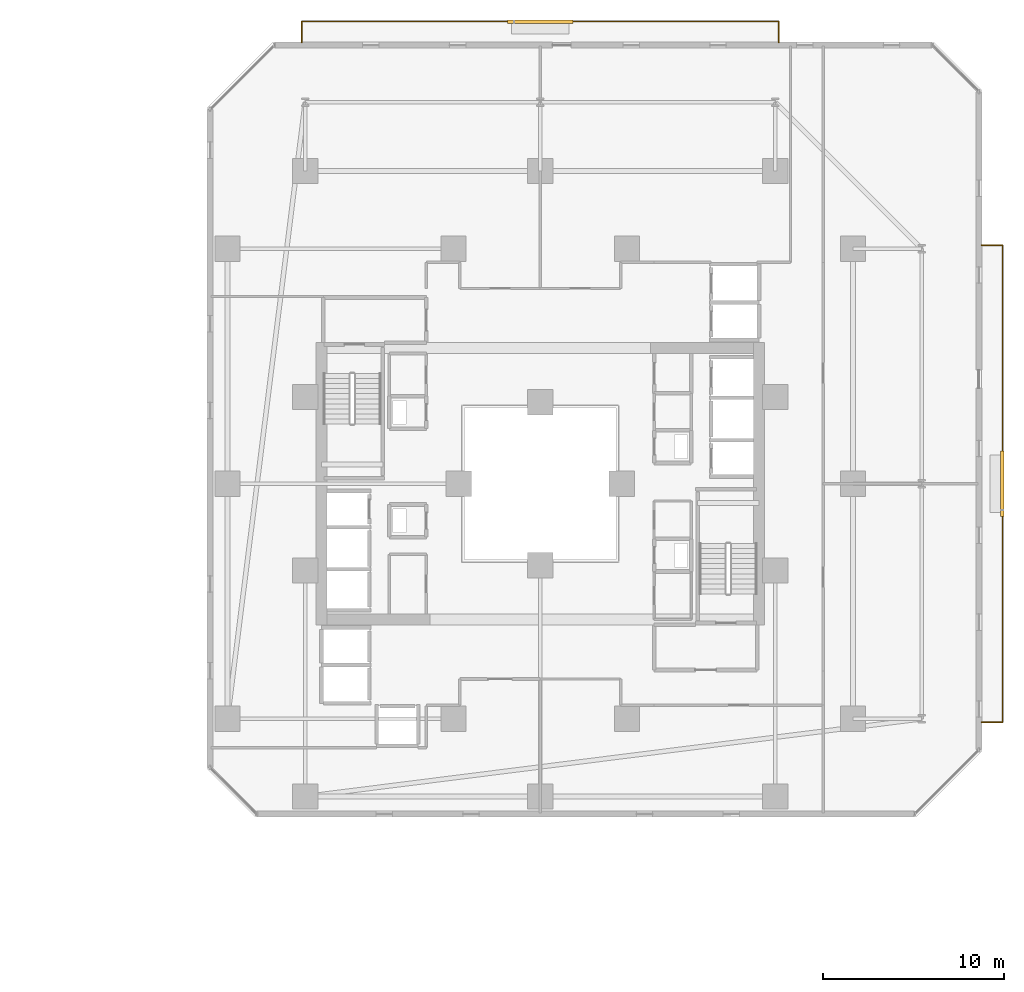
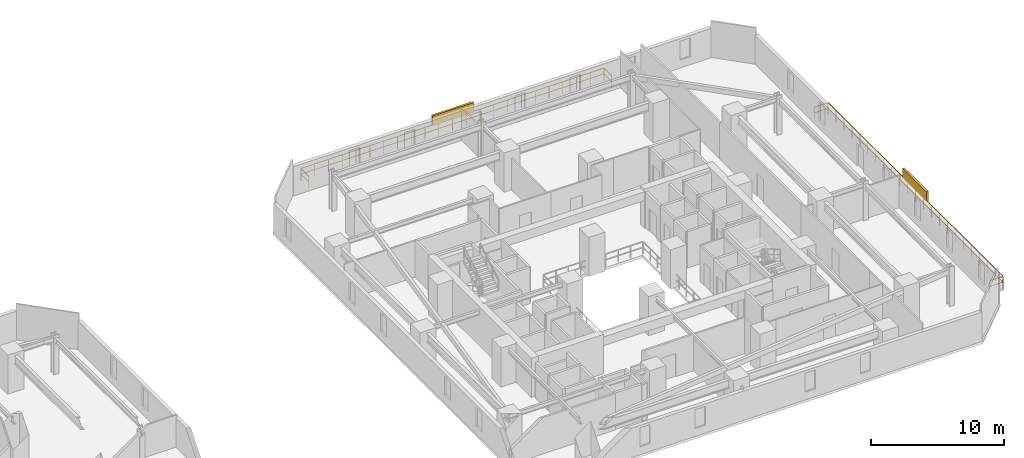
# One storey, part 34 of 34: 2 railings, 2 shading devices.
"""IFC4 building model written with IfcOpenShell, lengths in metres."""

from ifc_helpers import new_model, si_unit, direction, frame, origin, origin_2d, place, context, subcontext, project, spatial, rectangle, extrude, material, type_object, element, save


model = new_model("IFC4")

# Units and contexts
model_context = context("Model", 3, precision=1e-05, world=origin(), true_north=direction((0.0, 1.0)))
body_context = subcontext(model_context, "Body", "Model", "MODEL_VIEW")
ifc_project = project(units=[si_unit("LENGTHUNIT", "METRE"), si_unit("AREAUNIT", "SQUARE_METRE"), si_unit("VOLUMEUNIT", "CUBIC_METRE"), si_unit("PLANEANGLEUNIT", "RADIAN"), si_unit("MASSUNIT", "GRAM", prefix="KILO")], contexts=[model_context])

# Site, building, storey
site_placement = place(None, origin())
site = spatial("IfcSite", under=ifc_project, at=site_placement, CompositionType="ELEMENT")
building_placement = place(site_placement, origin())
building = spatial("IfcBuilding", under=site, at=building_placement, Name="Thornwick Lancets Civic Towers", CompositionType="ELEMENT")
storey_placement = place(building_placement, frame((0.0, 0.0, 57.300048828125)))
storey = spatial("IfcBuildingStorey", under=building, at=storey_placement, Name="L14", CompositionType="ELEMENT", Elevation=57.300048828125)

# Railings
ifc_material_1 = material(Name="Terracotta-capped laminated glass balustrade S355", Category="masonry")
railing_type = type_object("IfcRailingType", Name="RAIL_TERR_GUARD", PredefinedType="GUARDRAIL", material=ifc_material_1)
railing_1_placement = place(storey_placement, frame((112.89990234375, 13.800048828125, 0.0)))
element("IfcRailing", 1, at=railing_1_placement, inside=storey, type_object=railing_type, Name="L14 Tower B Balcony Guard E", PredefinedType="GUARDRAIL", context=body_context, shape_type="SweptSolid", body=[
    extrude(rectangle(XDim=0.048095703125, YDim=0.048095703125, at=origin_2d()), frame((0.0, 0.0, 1.1259765625), z_axis=(1.0, 0.0, 0.0), x_axis=(0.0, 1.0, 0.0)), (0.0, 0.0, 1.0), 1.138916015625),
    extrude(rectangle(XDim=0.0419921875, YDim=0.0419921875, at=origin_2d()), frame((0.03759765625, 0.0, 0.597900390625), z_axis=(1.0, 0.0, 0.0), x_axis=(0.0, 1.0, 0.0)), (0.0, 0.0, 1.0), 1.09521484375),
    extrude(rectangle(XDim=0.048095703125, YDim=0.048095703125, at=origin_2d()), frame((1.170166015625, 0.03125, 1.1259765625), z_axis=(0.0, 1.0, 0.0), x_axis=(-1.0, 0.0, 0.0)), (0.0, 0.0, 1.0), 26.33740234375),
    extrude(rectangle(XDim=0.0419921875, YDim=0.0419921875, at=origin_2d()), frame((1.170166015625, 0.03759765625, 0.597900390625), z_axis=(0.0, 1.0, 0.0), x_axis=(-1.0, 0.0, 0.0)), (0.0, 0.0, 1.0), 1.125),
    extrude(rectangle(XDim=0.0419921875, YDim=0.0419921875, at=origin_2d()), frame((1.170166015625, 1.237548828125, 0.597900390625), z_axis=(0.0, 1.0, 0.0), x_axis=(-1.0, 0.0, 0.0)), (0.0, 0.0, 1.0), 1.125),
    extrude(rectangle(XDim=0.0419921875, YDim=0.0419921875, at=origin_2d()), frame((1.170166015625, 2.4375, 0.597900390625), z_axis=(0.0, 1.0, 0.0), x_axis=(-1.0, 0.0, 0.0)), (0.0, 0.0, 1.0), 1.125),
    extrude(rectangle(XDim=0.0419921875, YDim=0.0419921875, at=origin_2d()), frame((1.170166015625, 3.637451171875, 0.597900390625), z_axis=(0.0, 1.0, 0.0), x_axis=(-1.0, 0.0, 0.0)), (0.0, 0.0, 1.0), 1.125),
    extrude(rectangle(XDim=0.0419921875, YDim=0.0419921875, at=origin_2d()), frame((1.170166015625, 4.83740234375, 0.597900390625), z_axis=(0.0, 1.0, 0.0), x_axis=(-1.0, 0.0, 0.0)), (0.0, 0.0, 1.0), 1.125),
    extrude(rectangle(XDim=0.0419921875, YDim=0.0419921875, at=origin_2d()), frame((1.170166015625, 6.037353515625, 0.597900390625), z_axis=(0.0, 1.0, 0.0), x_axis=(-1.0, 0.0, 0.0)), (0.0, 0.0, 1.0), 1.125),
    extrude(rectangle(XDim=0.0419921875, YDim=0.0419921875, at=origin_2d()), frame((1.170166015625, 7.237548828125, 0.597900390625), z_axis=(0.0, 1.0, 0.0), x_axis=(-1.0, 0.0, 0.0)), (0.0, 0.0, 1.0), 1.125),
    extrude(rectangle(XDim=0.0419921875, YDim=0.0419921875, at=origin_2d()), frame((1.170166015625, 8.4375, 0.597900390625), z_axis=(0.0, 1.0, 0.0), x_axis=(-1.0, 0.0, 0.0)), (0.0, 0.0, 1.0), 1.125),
    extrude(rectangle(XDim=0.0419921875, YDim=0.0419921875, at=origin_2d()), frame((1.170166015625, 9.637451171875, 0.597900390625), z_axis=(0.0, 1.0, 0.0), x_axis=(-1.0, 0.0, 0.0)), (0.0, 0.0, 1.0), 1.125),
    extrude(rectangle(XDim=0.0419921875, YDim=0.0419921875, at=origin_2d()), frame((1.170166015625, 10.83740234375, 0.597900390625), z_axis=(0.0, 1.0, 0.0), x_axis=(-1.0, 0.0, 0.0)), (0.0, 0.0, 1.0), 1.125),
    extrude(rectangle(XDim=0.0419921875, YDim=0.0419921875, at=origin_2d()), frame((1.170166015625, 12.037353515625, 0.597900390625), z_axis=(0.0, 1.0, 0.0), x_axis=(-1.0, 0.0, 0.0)), (0.0, 0.0, 1.0), 1.125),
    extrude(rectangle(XDim=0.0419921875, YDim=0.0419921875, at=origin_2d()), frame((1.170166015625, 13.237548828125, 0.597900390625), z_axis=(0.0, 1.0, 0.0), x_axis=(-1.0, 0.0, 0.0)), (0.0, 0.0, 1.0), 1.125),
    extrude(rectangle(XDim=0.0419921875, YDim=0.0419921875, at=origin_2d()), frame((1.170166015625, 14.4375, 0.597900390625), z_axis=(0.0, 1.0, 0.0), x_axis=(-1.0, 0.0, 0.0)), (0.0, 0.0, 1.0), 1.125),
    extrude(rectangle(XDim=0.0419921875, YDim=0.0419921875, at=origin_2d()), frame((1.170166015625, 15.637451171875, 0.597900390625), z_axis=(0.0, 1.0, 0.0), x_axis=(-1.0, 0.0, 0.0)), (0.0, 0.0, 1.0), 1.125),
    extrude(rectangle(XDim=0.0419921875, YDim=0.0419921875, at=origin_2d()), frame((1.170166015625, 16.83740234375, 0.597900390625), z_axis=(0.0, 1.0, 0.0), x_axis=(-1.0, 0.0, 0.0)), (0.0, 0.0, 1.0), 1.125),
    extrude(rectangle(XDim=0.0419921875, YDim=0.0419921875, at=origin_2d()), frame((1.170166015625, 18.037353515625, 0.597900390625), z_axis=(0.0, 1.0, 0.0), x_axis=(-1.0, 0.0, 0.0)), (0.0, 0.0, 1.0), 1.125),
    extrude(rectangle(XDim=0.0419921875, YDim=0.0419921875, at=origin_2d()), frame((1.170166015625, 19.2373046875, 0.597900390625), z_axis=(0.0, 1.0, 0.0), x_axis=(-1.0, 0.0, 0.0)), (0.0, 0.0, 1.0), 1.125),
    extrude(rectangle(XDim=0.0419921875, YDim=0.0419921875, at=origin_2d()), frame((1.170166015625, 20.4375, 0.597900390625), z_axis=(0.0, 1.0, 0.0), x_axis=(-1.0, 0.0, 0.0)), (0.0, 0.0, 1.0), 1.125),
    extrude(rectangle(XDim=0.0419921875, YDim=0.0419921875, at=origin_2d()), frame((1.170166015625, 21.637451171875, 0.597900390625), z_axis=(0.0, 1.0, 0.0), x_axis=(-1.0, 0.0, 0.0)), (0.0, 0.0, 1.0), 1.125),
    extrude(rectangle(XDim=0.0419921875, YDim=0.0419921875, at=origin_2d()), frame((1.170166015625, 22.83740234375, 0.597900390625), z_axis=(0.0, 1.0, 0.0), x_axis=(-1.0, 0.0, 0.0)), (0.0, 0.0, 1.0), 1.125),
    extrude(rectangle(XDim=0.0419921875, YDim=0.0419921875, at=origin_2d()), frame((1.170166015625, 24.037353515625, 0.597900390625), z_axis=(0.0, 1.0, 0.0), x_axis=(-1.0, 0.0, 0.0)), (0.0, 0.0, 1.0), 1.125),
    extrude(rectangle(XDim=0.0419921875, YDim=0.0419921875, at=origin_2d()), frame((1.170166015625, 25.2373046875, 0.597900390625), z_axis=(0.0, 1.0, 0.0), x_axis=(-1.0, 0.0, 0.0)), (0.0, 0.0, 1.0), 1.125),
    extrude(rectangle(XDim=0.048095703125, YDim=0.048095703125, at=origin_2d()), frame((1.138916015625, 26.39990234375, 1.1259765625), z_axis=(-1.0, 0.0, 0.0), x_axis=(0.0, -1.0, 0.0)), (0.0, 0.0, 1.0), 1.138916015625),
    extrude(rectangle(XDim=0.0419921875, YDim=0.0419921875, at=origin_2d()), frame((1.132568359375, 26.39990234375, 0.597900390625), z_axis=(-1.0, 0.0, 0.0), x_axis=(0.0, -1.0, 0.0)), (0.0, 0.0, 1.0), 1.09521484375),
    extrude(rectangle(XDim=0.0419921875, YDim=0.0419921875, at=origin_2d()), origin(), (0.0, 0.0, 1.0), 1.095703125),
    extrude(rectangle(XDim=0.0419921875, YDim=0.0419921875, at=origin_2d()), frame((1.170166015625, 0.0, 0.0)), (0.0, 0.0, 1.0), 1.095703125),
    extrude(rectangle(XDim=0.0419921875, YDim=0.0419921875, at=origin_2d()), frame((1.170166015625, 1.199951171875, 0.0)), (0.0, 0.0, 1.0), 1.095703125),
    extrude(rectangle(XDim=0.0419921875, YDim=0.0419921875, at=origin_2d()), frame((1.170166015625, 2.39990234375, 0.0)), (0.0, 0.0, 1.0), 1.095703125),
    extrude(rectangle(XDim=0.0419921875, YDim=0.0419921875, at=origin_2d()), frame((1.170166015625, 3.60009765625, 0.0)), (0.0, 0.0, 1.0), 1.095703125),
    extrude(rectangle(XDim=0.0419921875, YDim=0.0419921875, at=origin_2d()), frame((1.170166015625, 4.800048828125, 0.0)), (0.0, 0.0, 1.0), 1.095703125),
    extrude(rectangle(XDim=0.0419921875, YDim=0.0419921875, at=origin_2d()), frame((1.170166015625, 6.0, 0.0)), (0.0, 0.0, 1.0), 1.095703125),
    extrude(rectangle(XDim=0.0419921875, YDim=0.0419921875, at=origin_2d()), frame((1.170166015625, 7.199951171875, 0.0)), (0.0, 0.0, 1.0), 1.095703125),
    extrude(rectangle(XDim=0.0419921875, YDim=0.0419921875, at=origin_2d()), frame((1.170166015625, 8.39990234375, 0.0)), (0.0, 0.0, 1.0), 1.095703125),
    extrude(rectangle(XDim=0.0419921875, YDim=0.0419921875, at=origin_2d()), frame((1.170166015625, 9.599853515625, 0.0)), (0.0, 0.0, 1.0), 1.095703125),
    extrude(rectangle(XDim=0.0419921875, YDim=0.0419921875, at=origin_2d()), frame((1.170166015625, 10.800048828125, 0.0)), (0.0, 0.0, 1.0), 1.095703125),
    extrude(rectangle(XDim=0.0419921875, YDim=0.0419921875, at=origin_2d()), frame((1.170166015625, 12.0, 0.0)), (0.0, 0.0, 1.0), 1.095703125),
    extrude(rectangle(XDim=0.0419921875, YDim=0.0419921875, at=origin_2d()), frame((1.170166015625, 13.199951171875, 0.0)), (0.0, 0.0, 1.0), 1.095703125),
    extrude(rectangle(XDim=0.0419921875, YDim=0.0419921875, at=origin_2d()), frame((1.170166015625, 14.39990234375, 0.0)), (0.0, 0.0, 1.0), 1.095703125),
    extrude(rectangle(XDim=0.0419921875, YDim=0.0419921875, at=origin_2d()), frame((1.170166015625, 15.599853515625, 0.0)), (0.0, 0.0, 1.0), 1.095703125),
    extrude(rectangle(XDim=0.0419921875, YDim=0.0419921875, at=origin_2d()), frame((1.170166015625, 16.800048828125, 0.0)), (0.0, 0.0, 1.0), 1.095703125),
    extrude(rectangle(XDim=0.0419921875, YDim=0.0419921875, at=origin_2d()), frame((1.170166015625, 18.0, 0.0)), (0.0, 0.0, 1.0), 1.095703125),
    extrude(rectangle(XDim=0.0419921875, YDim=0.0419921875, at=origin_2d()), frame((1.170166015625, 19.199951171875, 0.0)), (0.0, 0.0, 1.0), 1.095703125),
    extrude(rectangle(XDim=0.0419921875, YDim=0.0419921875, at=origin_2d()), frame((1.170166015625, 20.39990234375, 0.0)), (0.0, 0.0, 1.0), 1.095703125),
    extrude(rectangle(XDim=0.0419921875, YDim=0.0419921875, at=origin_2d()), frame((1.170166015625, 21.599853515625, 0.0)), (0.0, 0.0, 1.0), 1.095703125),
    extrude(rectangle(XDim=0.0419921875, YDim=0.0419921875, at=origin_2d()), frame((1.170166015625, 22.7998046875, 0.0)), (0.0, 0.0, 1.0), 1.095703125),
    extrude(rectangle(XDim=0.0419921875, YDim=0.0419921875, at=origin_2d()), frame((1.170166015625, 24.0, 0.0)), (0.0, 0.0, 1.0), 1.095703125),
    extrude(rectangle(XDim=0.0419921875, YDim=0.0419921875, at=origin_2d()), frame((1.170166015625, 25.199951171875, 0.0)), (0.0, 0.0, 1.0), 1.095703125),
    extrude(rectangle(XDim=0.0419921875, YDim=0.0419921875, at=origin_2d()), frame((1.170166015625, 26.39990234375, 0.0)), (0.0, 0.0, 1.0), 1.095703125),
    extrude(rectangle(XDim=0.0419921875, YDim=0.0419921875, at=origin_2d()), frame((0.0, 26.39990234375, 0.0)), (0.0, 0.0, 1.0), 1.095703125),
])
railing_2_placement = place(storey_placement, frame((75.300048828125, 51.39990234375, 0.0)))
element("IfcRailing", 2, at=railing_2_placement, inside=storey, type_object=railing_type, Name="L14 Tower B Balcony Guard N", PredefinedType="GUARDRAIL", context=body_context, shape_type="SweptSolid", body=[
    extrude(rectangle(XDim=0.048095703125, YDim=0.048095703125, at=origin_2d()), frame((0.0, 0.0, 1.1259765625), z_axis=(0.0, 1.0, 0.0), x_axis=(-1.0, 0.0, 0.0)), (0.0, 0.0, 1.0), 1.138916015625),
    extrude(rectangle(XDim=0.0419921875, YDim=0.0419921875, at=origin_2d()), frame((0.0, 0.03759765625, 0.597900390625), z_axis=(0.0, 1.0, 0.0), x_axis=(-1.0, 0.0, 0.0)), (0.0, 0.0, 1.0), 1.09521484375),
    extrude(rectangle(XDim=0.048095703125, YDim=0.048095703125, at=origin_2d()), frame((0.03125, 1.170166015625, 1.1259765625), z_axis=(1.0, 0.0, 0.0), x_axis=(0.0, 1.0, 0.0)), (0.0, 0.0, 1.0), 26.33740234375),
    extrude(rectangle(XDim=0.0419921875, YDim=0.0419921875, at=origin_2d()), frame((0.03759765625, 1.170166015625, 0.597900390625), z_axis=(1.0, 0.0, 0.0), x_axis=(0.0, 1.0, 0.0)), (0.0, 0.0, 1.0), 1.125),
    extrude(rectangle(XDim=0.0419921875, YDim=0.0419921875, at=origin_2d()), frame((1.237548828125, 1.170166015625, 0.597900390625), z_axis=(1.0, 0.0, 0.0), x_axis=(0.0, 1.0, 0.0)), (0.0, 0.0, 1.0), 1.125),
    extrude(rectangle(XDim=0.0419921875, YDim=0.0419921875, at=origin_2d()), frame((2.4375, 1.170166015625, 0.597900390625), z_axis=(1.0, 0.0, 0.0), x_axis=(0.0, 1.0, 0.0)), (0.0, 0.0, 1.0), 1.125),
    extrude(rectangle(XDim=0.0419921875, YDim=0.0419921875, at=origin_2d()), frame((3.637451171875, 1.170166015625, 0.597900390625), z_axis=(1.0, 0.0, 0.0), x_axis=(0.0, 1.0, 0.0)), (0.0, 0.0, 1.0), 1.125),
    extrude(rectangle(XDim=0.0419921875, YDim=0.0419921875, at=origin_2d()), frame((4.83740234375, 1.170166015625, 0.597900390625), z_axis=(1.0, 0.0, 0.0), x_axis=(0.0, 1.0, 0.0)), (0.0, 0.0, 1.0), 1.125),
    extrude(rectangle(XDim=0.0419921875, YDim=0.0419921875, at=origin_2d()), frame((6.037353515625, 1.170166015625, 0.597900390625), z_axis=(1.0, 0.0, 0.0), x_axis=(0.0, 1.0, 0.0)), (0.0, 0.0, 1.0), 1.125),
    extrude(rectangle(XDim=0.0419921875, YDim=0.0419921875, at=origin_2d()), frame((7.237548828125, 1.170166015625, 0.597900390625), z_axis=(1.0, 0.0, 0.0), x_axis=(0.0, 1.0, 0.0)), (0.0, 0.0, 1.0), 1.125),
    extrude(rectangle(XDim=0.0419921875, YDim=0.0419921875, at=origin_2d()), frame((8.4375, 1.170166015625, 0.597900390625), z_axis=(1.0, 0.0, 0.0), x_axis=(0.0, 1.0, 0.0)), (0.0, 0.0, 1.0), 1.125),
    extrude(rectangle(XDim=0.0419921875, YDim=0.0419921875, at=origin_2d()), frame((9.637451171875, 1.170166015625, 0.597900390625), z_axis=(1.0, 0.0, 0.0), x_axis=(0.0, 1.0, 0.0)), (0.0, 0.0, 1.0), 1.125),
    extrude(rectangle(XDim=0.0419921875, YDim=0.0419921875, at=origin_2d()), frame((10.83740234375, 1.170166015625, 0.597900390625), z_axis=(1.0, 0.0, 0.0), x_axis=(0.0, 1.0, 0.0)), (0.0, 0.0, 1.0), 1.125),
    extrude(rectangle(XDim=0.0419921875, YDim=0.0419921875, at=origin_2d()), frame((12.037353515625, 1.170166015625, 0.597900390625), z_axis=(1.0, 0.0, 0.0), x_axis=(0.0, 1.0, 0.0)), (0.0, 0.0, 1.0), 1.125),
    extrude(rectangle(XDim=0.0419921875, YDim=0.0419921875, at=origin_2d()), frame((13.237548828125, 1.170166015625, 0.597900390625), z_axis=(1.0, 0.0, 0.0), x_axis=(0.0, 1.0, 0.0)), (0.0, 0.0, 1.0), 1.125),
    extrude(rectangle(XDim=0.0419921875, YDim=0.0419921875, at=origin_2d()), frame((14.4375, 1.170166015625, 0.597900390625), z_axis=(1.0, 0.0, 0.0), x_axis=(0.0, 1.0, 0.0)), (0.0, 0.0, 1.0), 1.125),
    extrude(rectangle(XDim=0.0419921875, YDim=0.0419921875, at=origin_2d()), frame((15.637451171875, 1.170166015625, 0.597900390625), z_axis=(1.0, 0.0, 0.0), x_axis=(0.0, 1.0, 0.0)), (0.0, 0.0, 1.0), 1.125),
    extrude(rectangle(XDim=0.0419921875, YDim=0.0419921875, at=origin_2d()), frame((16.83740234375, 1.170166015625, 0.597900390625), z_axis=(1.0, 0.0, 0.0), x_axis=(0.0, 1.0, 0.0)), (0.0, 0.0, 1.0), 1.125),
    extrude(rectangle(XDim=0.0419921875, YDim=0.0419921875, at=origin_2d()), frame((18.037353515625, 1.170166015625, 0.597900390625), z_axis=(1.0, 0.0, 0.0), x_axis=(0.0, 1.0, 0.0)), (0.0, 0.0, 1.0), 1.125),
    extrude(rectangle(XDim=0.0419921875, YDim=0.0419921875, at=origin_2d()), frame((19.2373046875, 1.170166015625, 0.597900390625), z_axis=(1.0, 0.0, 0.0), x_axis=(0.0, 1.0, 0.0)), (0.0, 0.0, 1.0), 1.125),
    extrude(rectangle(XDim=0.0419921875, YDim=0.0419921875, at=origin_2d()), frame((20.4375, 1.170166015625, 0.597900390625), z_axis=(1.0, 0.0, 0.0), x_axis=(0.0, 1.0, 0.0)), (0.0, 0.0, 1.0), 1.125),
    extrude(rectangle(XDim=0.0419921875, YDim=0.0419921875, at=origin_2d()), frame((21.637451171875, 1.170166015625, 0.597900390625), z_axis=(1.0, 0.0, 0.0), x_axis=(0.0, 1.0, 0.0)), (0.0, 0.0, 1.0), 1.125),
    extrude(rectangle(XDim=0.0419921875, YDim=0.0419921875, at=origin_2d()), frame((22.83740234375, 1.170166015625, 0.597900390625), z_axis=(1.0, 0.0, 0.0), x_axis=(0.0, 1.0, 0.0)), (0.0, 0.0, 1.0), 1.125),
    extrude(rectangle(XDim=0.0419921875, YDim=0.0419921875, at=origin_2d()), frame((24.037353515625, 1.170166015625, 0.597900390625), z_axis=(1.0, 0.0, 0.0), x_axis=(0.0, 1.0, 0.0)), (0.0, 0.0, 1.0), 1.125),
    extrude(rectangle(XDim=0.0419921875, YDim=0.0419921875, at=origin_2d()), frame((25.2373046875, 1.170166015625, 0.597900390625), z_axis=(1.0, 0.0, 0.0), x_axis=(0.0, 1.0, 0.0)), (0.0, 0.0, 1.0), 1.125),
    extrude(rectangle(XDim=0.048095703125, YDim=0.048095703125, at=origin_2d()), frame((26.39990234375, 1.138916015625, 1.1259765625), z_axis=(0.0, -1.0, 0.0), x_axis=(1.0, 0.0, 0.0)), (0.0, 0.0, 1.0), 1.138916015625),
    extrude(rectangle(XDim=0.0419921875, YDim=0.0419921875, at=origin_2d()), frame((26.39990234375, 1.132568359375, 0.597900390625), z_axis=(0.0, -1.0, 0.0), x_axis=(1.0, 0.0, 0.0)), (0.0, 0.0, 1.0), 1.09521484375),
    extrude(rectangle(XDim=0.0419921875, YDim=0.0419921875, at=origin_2d()), origin(), (0.0, 0.0, 1.0), 1.095703125),
    extrude(rectangle(XDim=0.0419921875, YDim=0.0419921875, at=origin_2d()), frame((0.0, 1.170166015625, 0.0)), (0.0, 0.0, 1.0), 1.095703125),
    extrude(rectangle(XDim=0.0419921875, YDim=0.0419921875, at=origin_2d()), frame((1.199951171875, 1.170166015625, 0.0)), (0.0, 0.0, 1.0), 1.095703125),
    extrude(rectangle(XDim=0.0419921875, YDim=0.0419921875, at=origin_2d()), frame((2.39990234375, 1.170166015625, 0.0)), (0.0, 0.0, 1.0), 1.095703125),
    extrude(rectangle(XDim=0.0419921875, YDim=0.0419921875, at=origin_2d()), frame((3.60009765625, 1.170166015625, 0.0)), (0.0, 0.0, 1.0), 1.095703125),
    extrude(rectangle(XDim=0.0419921875, YDim=0.0419921875, at=origin_2d()), frame((4.800048828125, 1.170166015625, 0.0)), (0.0, 0.0, 1.0), 1.095703125),
    extrude(rectangle(XDim=0.0419921875, YDim=0.0419921875, at=origin_2d()), frame((6.0, 1.170166015625, 0.0)), (0.0, 0.0, 1.0), 1.095703125),
    extrude(rectangle(XDim=0.0419921875, YDim=0.0419921875, at=origin_2d()), frame((7.199951171875, 1.170166015625, 0.0)), (0.0, 0.0, 1.0), 1.095703125),
    extrude(rectangle(XDim=0.0419921875, YDim=0.0419921875, at=origin_2d()), frame((8.39990234375, 1.170166015625, 0.0)), (0.0, 0.0, 1.0), 1.095703125),
    extrude(rectangle(XDim=0.0419921875, YDim=0.0419921875, at=origin_2d()), frame((9.599853515625, 1.170166015625, 0.0)), (0.0, 0.0, 1.0), 1.095703125),
    extrude(rectangle(XDim=0.0419921875, YDim=0.0419921875, at=origin_2d()), frame((10.800048828125, 1.170166015625, 0.0)), (0.0, 0.0, 1.0), 1.095703125),
    extrude(rectangle(XDim=0.0419921875, YDim=0.0419921875, at=origin_2d()), frame((12.0, 1.170166015625, 0.0)), (0.0, 0.0, 1.0), 1.095703125),
    extrude(rectangle(XDim=0.0419921875, YDim=0.0419921875, at=origin_2d()), frame((13.199951171875, 1.170166015625, 0.0)), (0.0, 0.0, 1.0), 1.095703125),
    extrude(rectangle(XDim=0.0419921875, YDim=0.0419921875, at=origin_2d()), frame((14.39990234375, 1.170166015625, 0.0)), (0.0, 0.0, 1.0), 1.095703125),
    extrude(rectangle(XDim=0.0419921875, YDim=0.0419921875, at=origin_2d()), frame((15.599853515625, 1.170166015625, 0.0)), (0.0, 0.0, 1.0), 1.095703125),
    extrude(rectangle(XDim=0.0419921875, YDim=0.0419921875, at=origin_2d()), frame((16.800048828125, 1.170166015625, 0.0)), (0.0, 0.0, 1.0), 1.095703125),
    extrude(rectangle(XDim=0.0419921875, YDim=0.0419921875, at=origin_2d()), frame((18.0, 1.170166015625, 0.0)), (0.0, 0.0, 1.0), 1.095703125),
    extrude(rectangle(XDim=0.0419921875, YDim=0.0419921875, at=origin_2d()), frame((19.199951171875, 1.170166015625, 0.0)), (0.0, 0.0, 1.0), 1.095703125),
    extrude(rectangle(XDim=0.0419921875, YDim=0.0419921875, at=origin_2d()), frame((20.39990234375, 1.170166015625, 0.0)), (0.0, 0.0, 1.0), 1.095703125),
    extrude(rectangle(XDim=0.0419921875, YDim=0.0419921875, at=origin_2d()), frame((21.599853515625, 1.170166015625, 0.0)), (0.0, 0.0, 1.0), 1.095703125),
    extrude(rectangle(XDim=0.0419921875, YDim=0.0419921875, at=origin_2d()), frame((22.7998046875, 1.170166015625, 0.0)), (0.0, 0.0, 1.0), 1.095703125),
    extrude(rectangle(XDim=0.0419921875, YDim=0.0419921875, at=origin_2d()), frame((24.0, 1.170166015625, 0.0)), (0.0, 0.0, 1.0), 1.095703125),
    extrude(rectangle(XDim=0.0419921875, YDim=0.0419921875, at=origin_2d()), frame((25.199951171875, 1.170166015625, 0.0)), (0.0, 0.0, 1.0), 1.095703125),
    extrude(rectangle(XDim=0.0419921875, YDim=0.0419921875, at=origin_2d()), frame((26.39990234375, 1.170166015625, 0.0)), (0.0, 0.0, 1.0), 1.095703125),
    extrude(rectangle(XDim=0.0419921875, YDim=0.0419921875, at=origin_2d()), frame((26.39990234375, 0.0, 0.0)), (0.0, 0.0, 1.0), 1.095703125),
])

# Shading devices
ifc_material_2 = material(Name="Extruded terracotta baguette solar screen", Category="masonry")
shading_device_type = type_object("IfcShadingDeviceType", Name="SHADE_BAGUETTE", PredefinedType="JALOUSIE", material=ifc_material_2)
for number, where, z_axis, x_axis, name in (
    (3, (114.06005859375, 27.0, 1.1201171875), (0.0, 0.0, 1.0), (0.0, 1.0, 0.0), "L14 Tower B Terracotta Baguette Screen E"),
    (4, (88.5, 52.56005859375, 1.1201171875), (0.0, 0.0, 1.0), (1.0, 0.0, 0.0), "L14 Tower B Terracotta Baguette Screen N"),
):
    element("IfcShadingDevice", number, at=place(storey_placement, frame(where, z_axis=z_axis, x_axis=x_axis)), inside=storey, type_object=shading_device_type, Name=name, PredefinedType="JALOUSIE", context=body_context, shape_type="SweptSolid", body=[
        extrude(rectangle(XDim=3.60009765625, YDim=0.179931640625, at=origin_2d()), origin(), (0.0, 0.0, 1.0), 0.89990234375),
    ])

save(model, "model.ifc")
